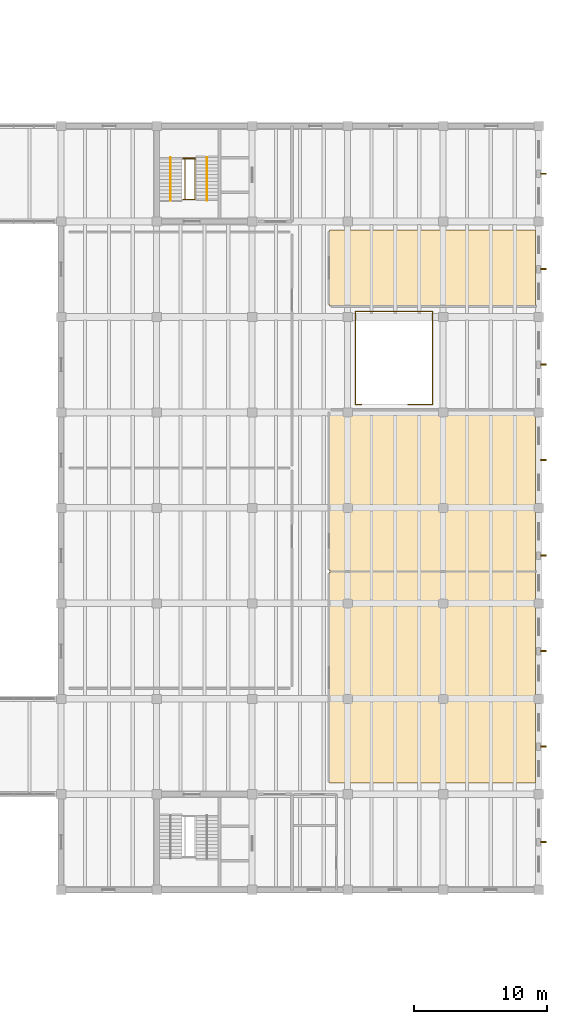
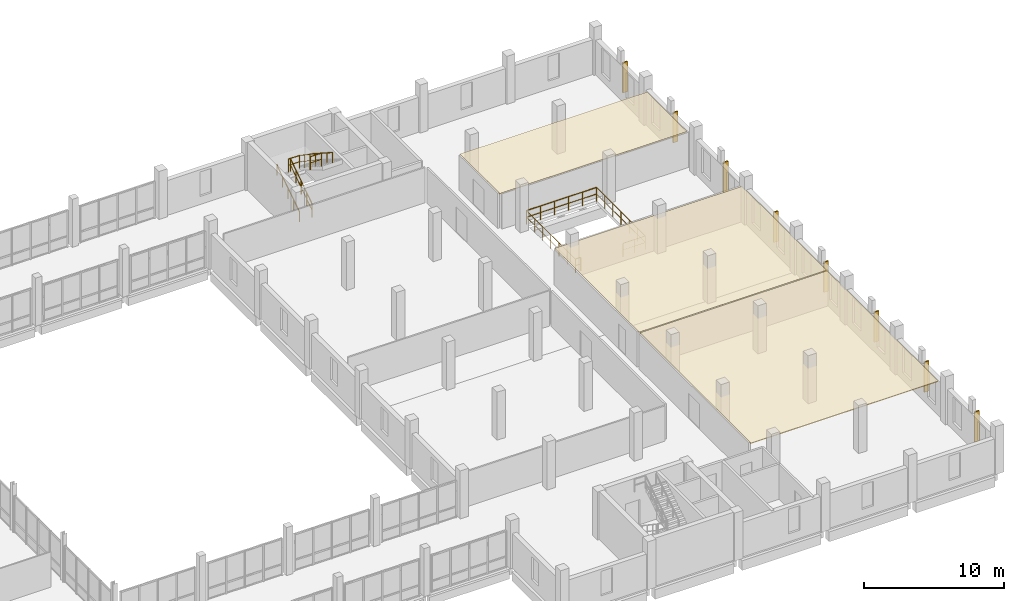
# One storey, part 72 of 72: 11 railings, 8 shading devices, 3 coverings.
"""IFC4 building model written with IfcOpenShell, lengths in metres."""

from ifc_helpers import new_model, si_unit, direction, frame, origin, origin_2d, place, context, subcontext, project, spatial, polyline, rectangle, circle, outline, extrude, material, layer, layer_set, material_profile, profile_set, type_object, element, save


model = new_model("IFC4")

# Units and contexts
model_context = context("Model", 3, precision=1e-05, world=origin(), true_north=direction((0.0, 1.0)))
body_context = subcontext(model_context, "Body", "Model", "MODEL_VIEW")
ifc_project = project(units=[si_unit("LENGTHUNIT", "METRE"), si_unit("AREAUNIT", "SQUARE_METRE"), si_unit("VOLUMEUNIT", "CUBIC_METRE"), si_unit("PLANEANGLEUNIT", "RADIAN"), si_unit("MASSUNIT", "GRAM", prefix="KILO")], contexts=[model_context])

# Site, building, storey
site_placement = place(None, origin())
site = spatial("IfcSite", under=ifc_project, at=site_placement, CompositionType="ELEMENT")
building_placement = place(site_placement, origin())
building = spatial("IfcBuilding", under=site, at=building_placement, Name="Qiaolan Assembly House", CompositionType="ELEMENT")
storey_placement = place(building_placement, frame((0.0, 0.0, 10.199951171875)))
storey = spatial("IfcBuildingStorey", under=building, at=storey_placement, Name="L02", CompositionType="ELEMENT", Elevation=10.199951171875)

# Coverings
ifc_material_1 = material(Name="Gypsum plasterboard acoustic ceiling")
ifc_layer_1 = layer(ifc_material_1, 0.044921875)
ifc_layer_set_1 = layer_set([ifc_layer_1], Name="Gypsum plasterboard acoustic ceiling")
covering_type_1 = type_object("IfcCoveringType", Name="COV-CEIL-ACOUSTIC", PredefinedType="CEILING", material=ifc_layer_set_1)
covering_1_placement = place(storey_placement, frame((0.0, 0.0, 3.03515625)))
element("IfcCovering", 1, at=covering_1_placement, inside=storey, type_object=covering_type_1, Name="Coffer ceiling Digital Microfilm & Audio-Visual Archive Studio", PredefinedType="CEILING", context=body_context, shape_type="SweptSolid", body=[
    extrude(outline(polyline([(157.0400390625, 52.840087890625), (172.550048828125, 52.840087890625), (172.550048828125, 64.9599609375), (157.0400390625, 64.9599609375), (157.0400390625, 52.840087890625)])), origin(), (0.0, 0.0, 1.0), 0.044921875),
])
ifc_material_2 = material(Name="Acoustic oak panelling")
ifc_layer_2 = layer(ifc_material_2, 0.06396484375)
ifc_layer_set_2 = layer_set([ifc_layer_2], Name="Acoustic oak panelling")
covering_type_2 = type_object("IfcCoveringType", Name="COV-CEIL-COFFERED", PredefinedType="CEILING", material=ifc_layer_set_2)
covering_2_placement = place(storey_placement, frame((0.0, 0.0, 3.01611328125)))
element("IfcCovering", 2, at=covering_2_placement, inside=storey, type_object=covering_type_2, Name="Coffer ceiling Members' Library Upper Reading & Map Gallery", PredefinedType="CEILING", context=body_context, shape_type="SweptSolid", body=[
    extrude(outline(polyline([(157.0400390625, 36.840087890625), (172.550048828125, 36.840087890625), (172.550048828125, 52.760009765625), (157.0400390625, 52.760009765625), (157.0400390625, 36.840087890625)])), origin(), (0.0, 0.0, 1.0), 0.06396484375),
])
covering_3_placement = place(storey_placement, frame((0.0, 0.0, 3.01611328125)))
element("IfcCovering", 3, at=covering_3_placement, inside=storey, type_object=covering_type_2, Name="Coffer ceiling Visiting Scholars & Fellows Study Room", PredefinedType="CEILING", context=body_context, shape_type="SweptSolid", body=[
    extrude(outline(polyline([(157.0400390625, 72.840087890625), (172.550048828125, 72.840087890625), (172.550048828125, 78.56005859375), (157.0400390625, 78.56005859375), (157.0400390625, 72.840087890625)])), origin(), (0.0, 0.0, 1.0), 0.06396484375),
])

# Railings
ifc_material_3 = material(Name="Anodised bronze aluminium", Category="aluminium")
railing_type_1 = type_object("IfcRailingType", Name="RAL-GUARD-GALLERY-1200", PredefinedType="BALUSTRADE", material=ifc_material_3)
railing_1_placement = place(storey_placement, frame((159.449951171875, 65.39990234375, 0.0)))
element("IfcRailing", 4, at=railing_1_placement, inside=storey, type_object=railing_type_1, Name="GR-02 Library Reading Well Balustrade L02 seg 1", PredefinedType="BALUSTRADE", context=body_context, shape_type="SweptSolid", body=[
    extrude(circle(Radius=0.02392578125, at=origin_2d()), frame((0.0, 0.0, 1.17578125), z_axis=(-1.0, 0.0, 0.0), x_axis=(0.0, -1.0, 0.0)), (0.0, 0.0, 1.0), 0.449951171875),
    extrude(circle(Radius=0.01611328125, at=origin_2d()), frame((0.0, 0.0, 0.60009765625), z_axis=(-1.0, 0.0, 0.0), x_axis=(0.0, -1.0, 0.0)), (0.0, 0.0, 1.0), 0.449951171875),
    extrude(circle(Radius=0.02099609375, at=origin_2d()), origin(), (0.0, 0.0, 1.0), 1.15185546875),
    extrude(circle(Radius=0.02099609375, at=origin_2d()), frame((-0.449951171875, 0.0, 0.0)), (0.0, 0.0, 1.0), 1.15185546875),
])
railing_2_placement = place(storey_placement, frame((159.0, 65.39990234375, 0.0)))
element("IfcRailing", 5, at=railing_2_placement, inside=storey, type_object=railing_type_1, Name="GR-02 Library Reading Well Balustrade L02 seg 2", PredefinedType="BALUSTRADE", context=body_context, shape_type="SweptSolid", body=[
    extrude(circle(Radius=0.02392578125, at=origin_2d()), frame((0.0, 0.0, 1.17578125), z_axis=(0.0, 1.0, 0.0), x_axis=(-1.0, 0.0, 0.0)), (0.0, 0.0, 1.0), 7.0),
    extrude(circle(Radius=0.01611328125, at=origin_2d()), frame((0.0, 0.0, 0.60009765625), z_axis=(0.0, 1.0, 0.0), x_axis=(-1.0, 0.0, 0.0)), (0.0, 0.0, 1.0), 7.0),
    extrude(circle(Radius=0.02099609375, at=origin_2d()), origin(), (0.0, 0.0, 1.0), 1.15185546875),
    extrude(circle(Radius=0.02099609375, at=origin_2d()), frame((0.0, 1.166748046875, 0.0)), (0.0, 0.0, 1.0), 1.15185546875),
    extrude(circle(Radius=0.02099609375, at=origin_2d()), frame((0.0, 2.333251953125, 0.0)), (0.0, 0.0, 1.0), 1.15185546875),
    extrude(circle(Radius=0.02099609375, at=origin_2d()), frame((0.0, 3.5, 0.0)), (0.0, 0.0, 1.0), 1.15185546875),
    extrude(circle(Radius=0.02099609375, at=origin_2d()), frame((0.0, 4.666748046875, 0.0)), (0.0, 0.0, 1.0), 1.15185546875),
    extrude(circle(Radius=0.02099609375, at=origin_2d()), frame((0.0, 5.833251953125, 0.0)), (0.0, 0.0, 1.0), 1.15185546875),
    extrude(circle(Radius=0.02099609375, at=origin_2d()), frame((0.0, 7.0, 0.0)), (0.0, 0.0, 1.0), 1.15185546875),
])
railing_3_placement = place(storey_placement, frame((159.0, 72.39990234375, 0.0)))
element("IfcRailing", 6, at=railing_3_placement, inside=storey, type_object=railing_type_1, Name="GR-02 Library Reading Well Balustrade L02 seg 3", PredefinedType="BALUSTRADE", context=body_context, shape_type="SweptSolid", body=[
    extrude(circle(Radius=0.02392578125, at=origin_2d()), frame((0.0, 0.0, 1.17578125), z_axis=(1.0, 0.0, 0.0), x_axis=(0.0, 1.0, 0.0)), (0.0, 0.0, 1.0), 5.800048828125),
    extrude(circle(Radius=0.01611328125, at=origin_2d()), frame((0.0, 0.0, 0.60009765625), z_axis=(1.0, 0.0, 0.0), x_axis=(0.0, 1.0, 0.0)), (0.0, 0.0, 1.0), 5.800048828125),
    extrude(circle(Radius=0.02099609375, at=origin_2d()), origin(), (0.0, 0.0, 1.0), 1.15185546875),
    extrude(circle(Radius=0.02099609375, at=origin_2d()), frame((1.159912109375, 0.0, 0.0)), (0.0, 0.0, 1.0), 1.15185546875),
    extrude(circle(Radius=0.02099609375, at=origin_2d()), frame((2.320068359375, 0.0, 0.0)), (0.0, 0.0, 1.0), 1.15185546875),
    extrude(circle(Radius=0.02099609375, at=origin_2d()), frame((3.47998046875, 0.0, 0.0)), (0.0, 0.0, 1.0), 1.15185546875),
    extrude(circle(Radius=0.02099609375, at=origin_2d()), frame((4.64013671875, 0.0, 0.0)), (0.0, 0.0, 1.0), 1.15185546875),
    extrude(circle(Radius=0.02099609375, at=origin_2d()), frame((5.800048828125, 0.0, 0.0)), (0.0, 0.0, 1.0), 1.15185546875),
])
railing_4_placement = place(storey_placement, frame((164.800048828125, 72.39990234375, 0.0)))
element("IfcRailing", 7, at=railing_4_placement, inside=storey, type_object=railing_type_1, Name="GR-02 Library Reading Well Balustrade L02 seg 4", PredefinedType="BALUSTRADE", context=body_context, shape_type="SweptSolid", body=[
    extrude(circle(Radius=0.02392578125, at=origin_2d()), frame((0.0, 0.0, 1.17578125), z_axis=(0.0, -1.0, 0.0), x_axis=(1.0, 0.0, 0.0)), (0.0, 0.0, 1.0), 7.0),
    extrude(circle(Radius=0.01611328125, at=origin_2d()), frame((0.0, 0.0, 0.60009765625), z_axis=(0.0, -1.0, 0.0), x_axis=(1.0, 0.0, 0.0)), (0.0, 0.0, 1.0), 7.0),
    extrude(circle(Radius=0.02099609375, at=origin_2d()), origin(), (0.0, 0.0, 1.0), 1.15185546875),
    extrude(circle(Radius=0.02099609375, at=origin_2d()), frame((0.0, -1.166748046875, 0.0)), (0.0, 0.0, 1.0), 1.15185546875),
    extrude(circle(Radius=0.02099609375, at=origin_2d()), frame((0.0, -2.333251953125, 0.0)), (0.0, 0.0, 1.0), 1.15185546875),
    extrude(circle(Radius=0.02099609375, at=origin_2d()), frame((0.0, -3.5, 0.0)), (0.0, 0.0, 1.0), 1.15185546875),
    extrude(circle(Radius=0.02099609375, at=origin_2d()), frame((0.0, -4.666748046875, 0.0)), (0.0, 0.0, 1.0), 1.15185546875),
    extrude(circle(Radius=0.02099609375, at=origin_2d()), frame((0.0, -5.833251953125, 0.0)), (0.0, 0.0, 1.0), 1.15185546875),
    extrude(circle(Radius=0.02099609375, at=origin_2d()), frame((0.0, -7.0, 0.0)), (0.0, 0.0, 1.0), 1.15185546875),
])
railing_5_placement = place(storey_placement, frame((164.800048828125, 65.39990234375, 0.0)))
element("IfcRailing", 8, at=railing_5_placement, inside=storey, type_object=railing_type_1, Name="GR-02 Library Reading Well Balustrade L02 seg 5", PredefinedType="BALUSTRADE", context=body_context, shape_type="SweptSolid", body=[
    extrude(circle(Radius=0.02392578125, at=origin_2d()), frame((0.0, 0.0, 1.17578125), z_axis=(-1.0, 0.0, 0.0), x_axis=(0.0, -1.0, 0.0)), (0.0, 0.0, 1.0), 1.85009765625),
    extrude(circle(Radius=0.01611328125, at=origin_2d()), frame((0.0, 0.0, 0.60009765625), z_axis=(-1.0, 0.0, 0.0), x_axis=(0.0, -1.0, 0.0)), (0.0, 0.0, 1.0), 1.85009765625),
    extrude(circle(Radius=0.02099609375, at=origin_2d()), origin(), (0.0, 0.0, 1.0), 1.15185546875),
    extrude(circle(Radius=0.02099609375, at=origin_2d()), frame((-0.925048828125, 0.0, 0.0)), (0.0, 0.0, 1.0), 1.15185546875),
    extrude(circle(Radius=0.02099609375, at=origin_2d()), frame((-1.85009765625, 0.0, 0.0)), (0.0, 0.0, 1.0), 1.15185546875),
])
railing_type_2 = type_object("IfcRailingType", Name="RAL-GUARD-STAIRWELL-1150", PredefinedType="GUARDRAIL", material=ifc_material_3)
railing_6_placement = place(storey_placement, frame((146.139892578125, 80.85009765625, 0.0)))
element("IfcRailing", 9, at=railing_6_placement, inside=storey, type_object=railing_type_2, Name="GR-01 stair inner-well guard FLT-CORE-F-L02-1", PredefinedType="GUARDRAIL", context=body_context, shape_type="SweptSolid", body=[
    extrude(circle(Radius=0.02392578125, at=origin_2d()), frame((0.0, 0.0, 1.1259765625), z_axis=(0.0, 0.829565193945, 0.558409875445), x_axis=(-1.0, 0.0, 0.0)), (0.0, 0.0, 1.0), 3.7607421875),
    extrude(circle(Radius=0.01611328125, at=origin_2d()), frame((0.0, 0.0, 0.574951171875), z_axis=(0.0, 0.829565193945, 0.558409875445), x_axis=(-1.0, 0.0, 0.0)), (0.0, 0.0, 1.0), 3.7607421875),
    extrude(circle(Radius=0.02099609375, at=origin_2d()), origin(), (0.0, 0.0, 1.0), 1.101806640625),
    extrude(circle(Radius=0.02099609375, at=origin_2d()), frame((0.0, 0.780029296875, 0.52490234375)), (0.0, 0.0, 1.0), 1.101806640625),
    extrude(circle(Radius=0.02099609375, at=origin_2d()), frame((0.0, 1.56005859375, 1.050048828125)), (0.0, 0.0, 1.0), 1.101806640625),
    extrude(circle(Radius=0.02099609375, at=origin_2d()), frame((0.0, 2.33984375, 1.5751953125)), (0.0, 0.0, 1.0), 1.101806640625),
    extrude(circle(Radius=0.02099609375, at=origin_2d()), frame((0.0, 3.119873046875, 2.10009765625)), (0.0, 0.0, 1.0), 1.101806640625),
])
railing_7_placement = place(storey_placement, frame((146.8798828125, 83.969970703125, 2.10009765625)))
element("IfcRailing", 10, at=railing_7_placement, inside=storey, type_object=railing_type_2, Name="GR-01 stair inner-well guard FLT-CORE-F-L02-2", PredefinedType="GUARDRAIL", context=body_context, shape_type="SweptSolid", body=[
    extrude(circle(Radius=0.02392578125, at=origin_2d()), frame((0.0, 0.0, 1.1259765625), z_axis=(0.0, -0.829595265483, 0.558365199031), x_axis=(1.0, 0.0, 0.0)), (0.0, 0.0, 1.0), 3.7607421875),
    extrude(circle(Radius=0.01611328125, at=origin_2d()), frame((0.0, 0.0, 0.574951171875), z_axis=(0.0, -0.829595265483, 0.558365199031), x_axis=(1.0, 0.0, 0.0)), (0.0, 0.0, 1.0), 3.7607421875),
    extrude(circle(Radius=0.02099609375, at=origin_2d()), origin(), (0.0, 0.0, 1.0), 1.101806640625),
    extrude(circle(Radius=0.02099609375, at=origin_2d()), frame((0.0, -0.780029296875, 0.52490234375)), (0.0, 0.0, 1.0), 1.101806640625),
    extrude(circle(Radius=0.02099609375, at=origin_2d()), frame((0.0, -1.56005859375, 1.0498046875)), (0.0, 0.0, 1.0), 1.101806640625),
    extrude(circle(Radius=0.02099609375, at=origin_2d()), frame((0.0, -2.33984375, 1.574951171875)), (0.0, 0.0, 1.0), 1.101806640625),
    extrude(circle(Radius=0.02099609375, at=origin_2d()), frame((0.0, -3.119873046875, 2.099853515625)), (0.0, 0.0, 1.0), 1.101806640625),
])
for number, where, name in (
    (11, (145.97998046875, 83.969970703125, 2.10009765625), "GR-01 stairwell landing guard CORE-F L02-1"),
    (12, (145.97998046875, 80.85009765625, 4.199951171875), "GR-01 stairwell landing guard CORE-F L02-2"),
):
    element("IfcRailing", number, at=place(storey_placement, frame(where)), inside=storey, type_object=railing_type_2, Name=name, PredefinedType="GUARDRAIL", context=body_context, shape_type="SweptSolid", body=[
        extrude(circle(Radius=0.02392578125, at=origin_2d()), frame((0.0, 0.0, 1.1259765625), z_axis=(1.0, 0.0, 0.0), x_axis=(0.0, 1.0, 0.0)), (0.0, 0.0, 1.0), 0.919921875),
        extrude(circle(Radius=0.01611328125, at=origin_2d()), frame((0.0, 0.0, 0.574951171875), z_axis=(1.0, 0.0, 0.0), x_axis=(0.0, 1.0, 0.0)), (0.0, 0.0, 1.0), 0.919921875),
        extrude(circle(Radius=0.02099609375, at=origin_2d()), origin(), (0.0, 0.0, 1.0), 1.101806640625),
        extrude(circle(Radius=0.02099609375, at=origin_2d()), frame((0.919921875, 0.0, 0.0)), (0.0, 0.0, 1.0), 1.101806640625),
    ])
railing_type_3 = type_object("IfcRailingType", Name="RAL-HANDRAIL-STAIR-920", PredefinedType="HANDRAIL", material=ifc_material_3)
railing_8_placement = place(storey_placement, frame((145.050048828125, 80.7900390625, 0.0)))
element("IfcRailing", 13, at=railing_8_placement, inside=storey, type_object=railing_type_3, Name="HR-01 stair handrail FLT-CORE-F-L02-1", PredefinedType="HANDRAIL", context=body_context, shape_type="SweptSolid", body=[
    extrude(circle(Radius=0.02392578125, at=origin_2d()), frame((0.0, 0.0, 0.89599609375), z_axis=(0.0, 0.839140694364, 0.543914418877), x_axis=(-1.0, 0.0, 0.0)), (0.0, 0.0, 1.0), 3.861083984375),
    extrude(circle(Radius=0.02099609375, at=origin_2d()), origin(), (0.0, 0.0, 1.0), 0.871826171875),
    extrude(circle(Radius=0.02099609375, at=origin_2d()), frame((0.0, 0.81005859375, 0.52490234375)), (0.0, 0.0, 1.0), 0.871826171875),
    extrude(circle(Radius=0.02099609375, at=origin_2d()), frame((0.0, 1.6201171875, 1.050048828125)), (0.0, 0.0, 1.0), 0.871826171875),
    extrude(circle(Radius=0.02099609375, at=origin_2d()), frame((0.0, 2.429931640625, 1.5751953125)), (0.0, 0.0, 1.0), 0.871826171875),
    extrude(circle(Radius=0.02099609375, at=origin_2d()), frame((0.0, 3.239990234375, 2.10009765625)), (0.0, 0.0, 1.0), 0.871826171875),
])
railing_9_placement = place(storey_placement, frame((147.800048828125, 84.030029296875, 2.10009765625)))
element("IfcRailing", 14, at=railing_9_placement, inside=storey, type_object=railing_type_3, Name="HR-01 stair handrail FLT-CORE-F-L02-2", PredefinedType="HANDRAIL", context=body_context, shape_type="SweptSolid", body=[
    extrude(circle(Radius=0.02392578125, at=origin_2d()), frame((0.0, 0.0, 0.89599609375), z_axis=(0.0, -0.839169554186, 0.543869891911), x_axis=(1.0, 0.0, 0.0)), (0.0, 0.0, 1.0), 3.86083984375),
    extrude(circle(Radius=0.02099609375, at=origin_2d()), origin(), (0.0, 0.0, 1.0), 0.871826171875),
    extrude(circle(Radius=0.02099609375, at=origin_2d()), frame((0.0, -0.81005859375, 0.52490234375)), (0.0, 0.0, 1.0), 0.871826171875),
    extrude(circle(Radius=0.02099609375, at=origin_2d()), frame((0.0, -1.6201171875, 1.0498046875)), (0.0, 0.0, 1.0), 0.871826171875),
    extrude(circle(Radius=0.02099609375, at=origin_2d()), frame((0.0, -2.429931640625, 1.574951171875)), (0.0, 0.0, 1.0), 0.871826171875),
    extrude(circle(Radius=0.02099609375, at=origin_2d()), frame((0.0, -3.239990234375, 2.099853515625)), (0.0, 0.0, 1.0), 0.871826171875),
])

# Shading devices
ifc_material_4 = material(Name="Honed pale limestone", Category="masonry")
ifc_material_profile = material_profile(ifc_material_4, rectangle(XDim=0.110107421875, YDim=0.39990234375, at=origin_2d()), Name="FIN 110x400")
ifc_profile_set = profile_set([ifc_material_profile], Name="Honed pale limestone")
shading_device_type = type_object("IfcShadingDeviceType", Name="SHD-FIN-LIB-400", PredefinedType="JALOUSIE", material=ifc_profile_set)
for number, where, z_axis, x_axis, name in (
    (15, (173.159912109375, 32.39990234375, 0.300048828125), (0.0, 0.0, 1.0), (0.0, 1.0, 0.0), "SH-03 library east stone fin L02-1"),
    (16, (173.159912109375, 39.60009765625, 0.300048828125), (0.0, 0.0, 1.0), (0.0, 1.0, 0.0), "SH-03 library east stone fin L02-2"),
    (17, (173.159912109375, 46.800048828125, 0.300048828125), (0.0, 0.0, 1.0), (0.0, 1.0, 0.0), "SH-03 library east stone fin L02-3"),
    (18, (173.159912109375, 54.0, 0.300048828125), (0.0, 0.0, 1.0), (0.0, 1.0, 0.0), "SH-03 library east stone fin L02-4"),
    (19, (173.159912109375, 61.199951171875, 0.300048828125), (0.0, 0.0, 1.0), (0.0, 1.0, 0.0), "SH-03 library east stone fin L02-5"),
    (20, (173.159912109375, 68.39990234375, 0.300048828125), (0.0, 0.0, 1.0), (0.0, 1.0, 0.0), "SH-03 library east stone fin L02-6"),
    (21, (173.159912109375, 75.60009765625, 0.300048828125), (0.0, 0.0, 1.0), (0.0, 1.0, 0.0), "SH-03 library east stone fin L02-7"),
    (22, (173.159912109375, 82.800048828125, 0.300048828125), (0.0, 0.0, 1.0), (0.0, 1.0, 0.0), "SH-03 library east stone fin L02-8"),
):
    element("IfcShadingDevice", number, at=place(storey_placement, frame(where, z_axis=z_axis, x_axis=x_axis)), inside=storey, type_object=shading_device_type, Name=name, PredefinedType="JALOUSIE", context=body_context, shape_type="SweptSolid", body=[
        extrude(rectangle(XDim=0.110107421875, YDim=0.39990234375, at=origin_2d()), origin(), (0.0, 0.0, 1.0), 2.639892578125),
    ])

save(model, "model.ifc")
